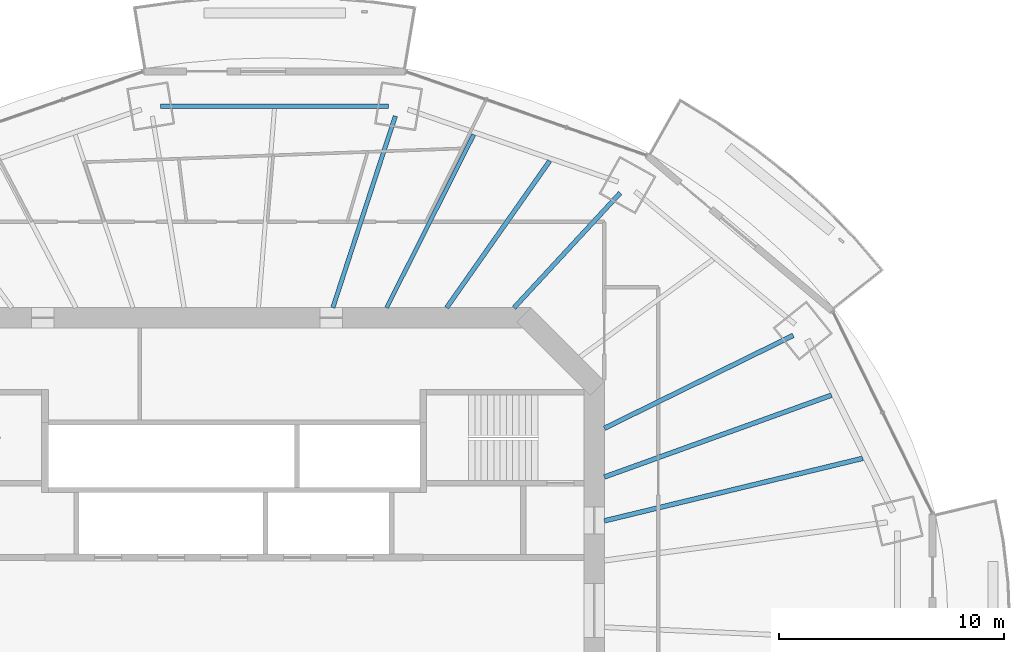
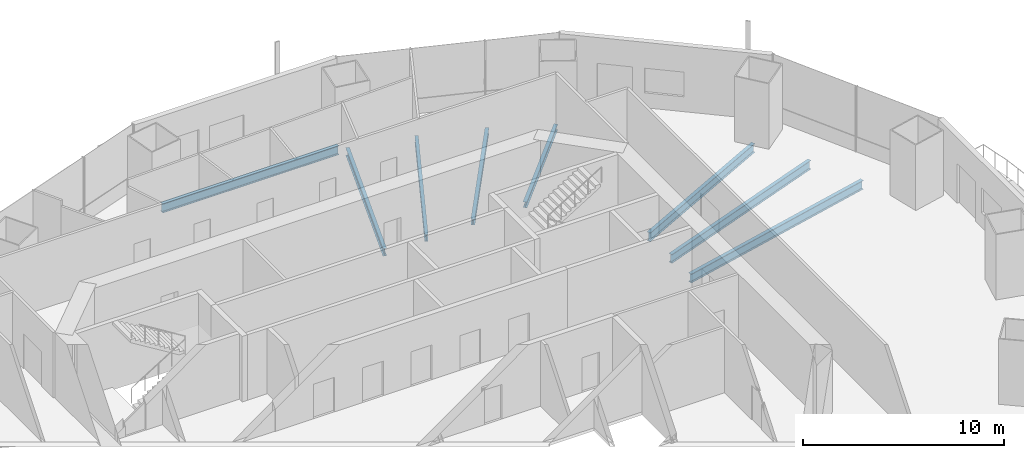
# One storey, part 7 of 19: 8 beams.
"""IFC4 building model written with IfcOpenShell, lengths in metres."""

from ifc_helpers import new_model, si_unit, direction, frame, origin, origin_2d, place, context, subcontext, project, spatial, i_section, extrude, material, material_profile, profile_set, type_object, element, save


model = new_model("IFC4")

# Units and contexts
model_context = context("Model", 3, precision=1e-05, world=origin(), true_north=direction((0.0, 1.0)))
body_context = subcontext(model_context, "Body", "Model", "MODEL_VIEW")
ifc_project = project(units=[si_unit("LENGTHUNIT", "METRE"), si_unit("AREAUNIT", "SQUARE_METRE"), si_unit("VOLUMEUNIT", "CUBIC_METRE"), si_unit("PLANEANGLEUNIT", "RADIAN"), si_unit("MASSUNIT", "GRAM", prefix="KILO")], contexts=[model_context])

# Site, building, storey
site_placement = place(None, origin())
site = spatial("IfcSite", under=ifc_project, at=site_placement, CompositionType="ELEMENT")
building_placement = place(site_placement, origin())
building = spatial("IfcBuilding", under=site, at=building_placement, Name="Marenthal Gate Tower", CompositionType="ELEMENT")
storey_placement = place(building_placement, frame((0.0, 0.0, 248.199951171875)))
storey = spatial("IfcBuildingStorey", under=building, at=storey_placement, Name="L55", CompositionType="ELEMENT", Elevation=248.199951171875)

# Beams
ifc_material_1 = material(Name="Steel S355", Category="steel")
ifc_material_profile_1 = material_profile(ifc_material_1, i_section(OverallWidth=0.205078125, OverallDepth=0.35302734375, WebThickness=0.009521484375, FlangeThickness=0.016845703125, FilletRadius=0.014892578125, at=origin_2d()), Name="W360X79")
ifc_profile_set_1 = profile_set([ifc_material_profile_1], Name="Steel S355")
beam_type_1 = type_object("IfcBeamType", Name="W360X79 beam", PredefinedType="BEAM", material=ifc_profile_set_1)
beam_1_placement = place(storey_placement, frame((17.155517578125, 18.55029296875, -0.3564453125), z_axis=(-0.678981850603, -0.734155056205, 0.0), x_axis=(0.734155056205, -0.678981850603, 0.0)))
element("IfcBeam", 1, at=beam_1_placement, inside=storey, type_object=beam_type_1, Name="BM-L55-03", PredefinedType="BEAM", context=body_context, shape_type="SweptSolid", body=[
    extrude(i_section(OverallWidth=0.205078125, OverallDepth=0.35302734375, WebThickness=0.009521484375, FlangeThickness=0.016845703125, FilletRadius=0.014892578125, at=origin_2d()), origin(), (0.0, 0.0, 1.0), 6.947265625),
])
beam_2_placement = place(storey_placement, frame((14.025146484375, 19.978271484375, -0.3564453125), z_axis=(-0.57457109748, -0.818454674335, 0.0), x_axis=(0.818454674335, -0.57457109748, 0.0)))
element("IfcBeam", 2, at=beam_2_placement, inside=storey, type_object=beam_type_1, Name="BM-L55-20", PredefinedType="BEAM", context=body_context, shape_type="SweptSolid", body=[
    extrude(i_section(OverallWidth=0.205078125, OverallDepth=0.35302734375, WebThickness=0.009521484375, FlangeThickness=0.016845703125, FilletRadius=0.014892578125, at=origin_2d()), origin(), (0.0, 0.0, 1.0), 7.976318359375),
])
ifc_material_2 = material(Name="Steel S355", Category="steel")
ifc_material_profile_2 = material_profile(ifc_material_2, i_section(OverallWidth=0.180908203125, OverallDepth=0.4169921875, WebThickness=0.010986328125, FlangeThickness=0.018310546875, FilletRadius=0.01025390625, at=origin_2d()), Name="W410X85")
ifc_profile_set_2 = profile_set([ifc_material_profile_2], Name="Steel S355")
beam_type_2 = type_object("IfcBeamType", Name="W410X85 beam", PredefinedType="BEAM", material=ifc_profile_set_2)
beam_3_placement = place(storey_placement, frame((10.649169921875, 21.140380859375, -0.388427734375), z_axis=(-0.449888013054, -0.893084976758, 0.0), x_axis=(0.893084976758, -0.449888013054, 0.0)))
element("IfcBeam", 3, at=beam_3_placement, inside=storey, type_object=beam_type_2, Name="BM-L55-21", PredefinedType="BEAM", context=body_context, shape_type="SweptSolid", body=[
    extrude(i_section(OverallWidth=0.180908203125, OverallDepth=0.4169921875, WebThickness=0.010986328125, FlangeThickness=0.018310546875, FilletRadius=0.01025390625, at=origin_2d()), origin(), (0.0, 0.0, 1.0), 8.611083984375),
])
ifc_material_3 = material(Name="Steel S355", Category="steel")
ifc_material_profile_3 = material_profile(ifc_material_3, i_section(OverallWidth=0.193115234375, OverallDepth=0.467041015625, WebThickness=0.011474609375, FlangeThickness=0.01904296875, FilletRadius=0.010009765625, at=origin_2d()), Name="W460X97")
ifc_profile_set_3 = profile_set([ifc_material_profile_3], Name="Steel S355")
beam_type_3 = type_object("IfcBeamType", Name="W460X97 beam", PredefinedType="BEAM", material=ifc_profile_set_3)
beam_4_placement = place(storey_placement, frame((7.1630859375, 21.965087890625, -0.413330078125), z_axis=(-0.310038810958, -0.950723900878, 0.0), x_axis=(0.950723900878, -0.310038810958, 0.0)))
element("IfcBeam", 4, at=beam_4_placement, inside=storey, type_object=beam_type_3, Name="BM-L55-04", PredefinedType="BEAM", context=body_context, shape_type="SweptSolid", body=[
    extrude(i_section(OverallWidth=0.193115234375, OverallDepth=0.467041015625, WebThickness=0.011474609375, FlangeThickness=0.01904296875, FilletRadius=0.010009765625, at=origin_2d()), origin(), (0.0, 0.0, 1.0), 8.95654296875),
])
ifc_material_4 = material(Name="Steel S355", Category="steel")
ifc_material_profile_4 = material_profile(ifc_material_4, i_section(OverallWidth=0.2099609375, OverallDepth=0.535888671875, WebThickness=0.010986328125, FlangeThickness=0.017333984375, FilletRadius=0.0126953125, at=origin_2d()), Name="W530X101")
ifc_profile_set_4 = profile_set([ifc_material_profile_4], Name="Steel S355")
beam_type_4 = type_object("IfcBeamType", Name="W530X101 beam", PredefinedType="BEAM", material=ifc_profile_set_4)
beam_5_placement = place(storey_placement, frame((24.841796875, 12.22119140625, -0.447998046875), z_axis=(-0.897295727619, -0.441429923313, 0.0), x_axis=(0.441429923313, -0.897295727619, 0.0)))
element("IfcBeam", 5, at=beam_5_placement, inside=storey, type_object=beam_type_4, Name="BM-L55-02", PredefinedType="BEAM", context=body_context, shape_type="SweptSolid", body=[
    extrude(i_section(OverallWidth=0.2099609375, OverallDepth=0.535888671875, WebThickness=0.010986328125, FlangeThickness=0.017333984375, FilletRadius=0.0126953125, at=origin_2d()), origin(), (0.0, 0.0, 1.0), 9.352294921875),
])
beam_6_placement = place(storey_placement, frame((26.539306640625, 9.564453125, -0.447998046875), z_axis=(-0.940773890278, -0.33903464037, 0.0), x_axis=(0.33903464037, -0.940773890278, 0.0)))
element("IfcBeam", 6, at=beam_6_placement, inside=storey, type_object=beam_type_4, Name="BM-L55-18", PredefinedType="BEAM", context=body_context, shape_type="SweptSolid", body=[
    extrude(i_section(OverallWidth=0.2099609375, OverallDepth=0.535888671875, WebThickness=0.010986328125, FlangeThickness=0.017333984375, FilletRadius=0.0126953125, at=origin_2d()), origin(), (0.0, 0.0, 1.0), 10.724609375),
])
ifc_material_5 = material(Name="Steel S355", Category="steel")
ifc_material_profile_5 = material_profile(ifc_material_5, i_section(OverallWidth=0.2119140625, OverallDepth=0.5439453125, WebThickness=0.01318359375, FlangeThickness=0.021240234375, FilletRadius=0.0126953125, at=origin_2d()), Name="W530X123")
ifc_profile_set_5 = profile_set([ifc_material_profile_5], Name="Steel S355")
beam_type_5 = type_object("IfcBeamType", Name="W530X123 beam", PredefinedType="BEAM", material=ifc_profile_set_5)
beam_7_placement = place(storey_placement, frame((27.93701171875, 6.76025390625, -0.451904296875), z_axis=(-0.971950777565, -0.235184365956, 0.0), x_axis=(0.235184365956, -0.971950777565, 0.0)))
element("IfcBeam", 7, at=beam_7_placement, inside=storey, type_object=beam_type_5, Name="BM-L55-17", PredefinedType="BEAM", context=body_context, shape_type="SweptSolid", body=[
    extrude(i_section(OverallWidth=0.2119140625, OverallDepth=0.5439453125, WebThickness=0.01318359375, FlangeThickness=0.021240234375, FilletRadius=0.0126953125, at=origin_2d()), origin(), (0.0, 0.0, 1.0), 11.818603515625),
])
beam_8_placement = place(storey_placement, frame((6.868408203125, 22.4033203125, -0.451904296875), z_axis=(-1.0, 0.0, 0.0), x_axis=(0.0, -1.0, 0.0)))
element("IfcBeam", 8, at=beam_8_placement, inside=storey, type_object=beam_type_5, Name="BM-L55-44", PredefinedType="BEAM", context=body_context, shape_type="SweptSolid", body=[
    extrude(i_section(OverallWidth=0.2119140625, OverallDepth=0.5439453125, WebThickness=0.01318359375, FlangeThickness=0.021240234375, FilletRadius=0.0126953125, at=origin_2d()), origin(), (0.0, 0.0, 1.0), 10.13671875),
])

save(model, "model.ifc")
